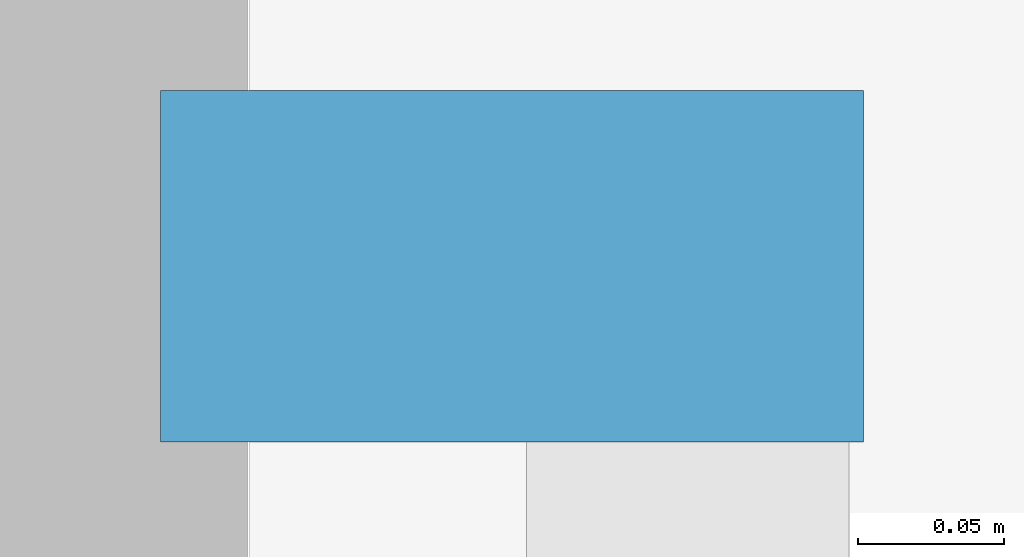
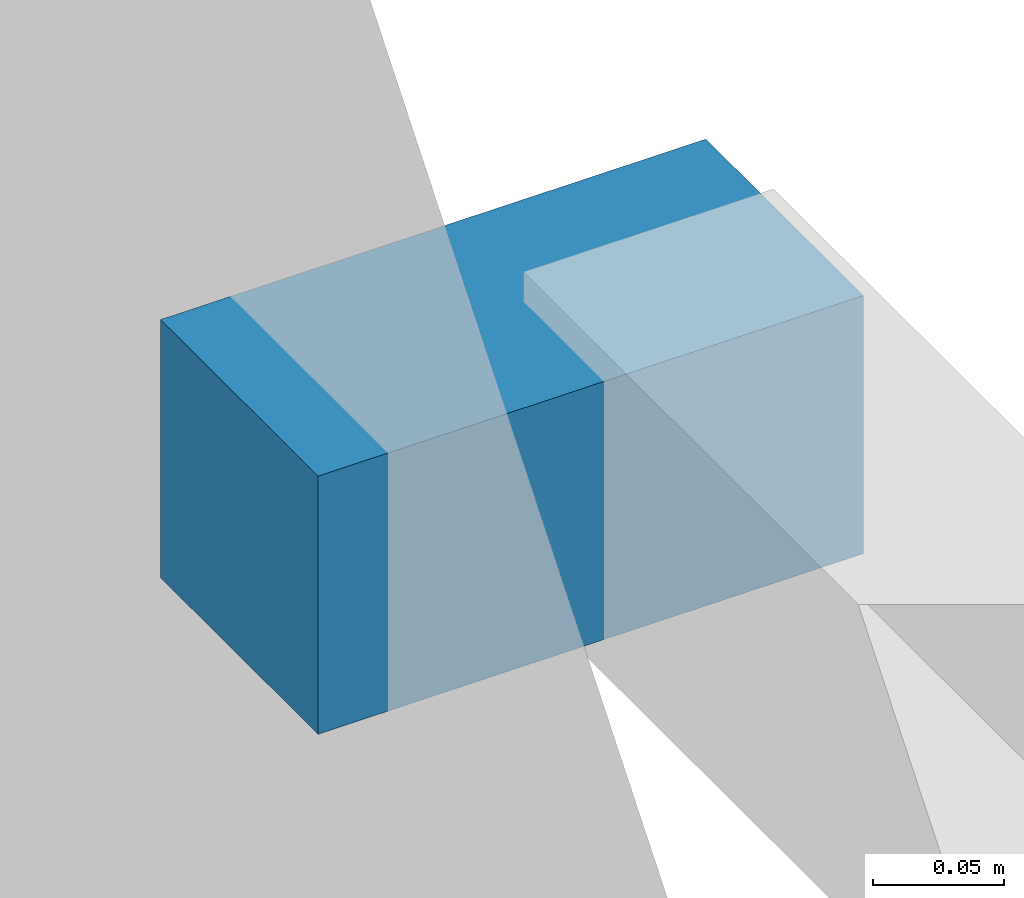
# One storey, part 13 of 18: 1 discrete accessory.
"""IFC4 building model written with IfcOpenShell, lengths in metres."""

from ifc_helpers import new_model, si_unit, direction, frame, origin, origin_2d, place, context, subcontext, project, spatial, rectangle, extrude, material, type_object, element, save


model = new_model("IFC4")

# Units and contexts
model_context = context("Model", 3, precision=1e-05, world=origin(), true_north=direction((0.0, 1.0)))
body_context = subcontext(model_context, "Body", "Model", "MODEL_VIEW")
ifc_project = project(units=[si_unit("LENGTHUNIT", "METRE"), si_unit("AREAUNIT", "SQUARE_METRE"), si_unit("VOLUMEUNIT", "CUBIC_METRE"), si_unit("PLANEANGLEUNIT", "RADIAN"), si_unit("MASSUNIT", "GRAM", prefix="KILO")], contexts=[model_context])

# Site, building, storey
site_placement = place(None, origin())
site = spatial("IfcSite", under=ifc_project, at=site_placement, CompositionType="ELEMENT")
building_placement = place(site_placement, origin())
building = spatial("IfcBuilding", under=site, at=building_placement, Name="Ochreholt Gables", CompositionType="ELEMENT")
storey_placement = place(building_placement, frame((0.0, 0.0, 4.800048828125)))
storey = spatial("IfcBuildingStorey", under=building, at=storey_placement, Name="L01", CompositionType="ELEMENT", Elevation=4.800048828125)

# Discrete accessory
ifc_material = material(Name="Extruded Aluminium Standoff Bracket", Category="aluminium")
discrete_accessory_type = type_object("IfcDiscreteAccessoryType", Name="ACC-BRACKET-AL", PredefinedType="BRACKET", material=ifc_material)
discrete_accessory_placement = place(storey_placement, frame((54.489990234375, 43.199951171875, 3.93994140625), z_axis=(0.0, 0.0, 1.0), x_axis=(0.0, 1.0, 0.0)))
element("IfcDiscreteAccessory", 1, at=discrete_accessory_placement, inside=storey, type_object=discrete_accessory_type, Name="L01 Baguette Standoff Bracket E1-2", PredefinedType="BRACKET", context=body_context, shape_type="SweptSolid", body=[
    extrude(rectangle(XDim=0.1201171875, YDim=0.239990234375, at=origin_2d()), origin(), (0.0, 0.0, 1.0), 0.1201171875),
])

save(model, "model.ifc")
